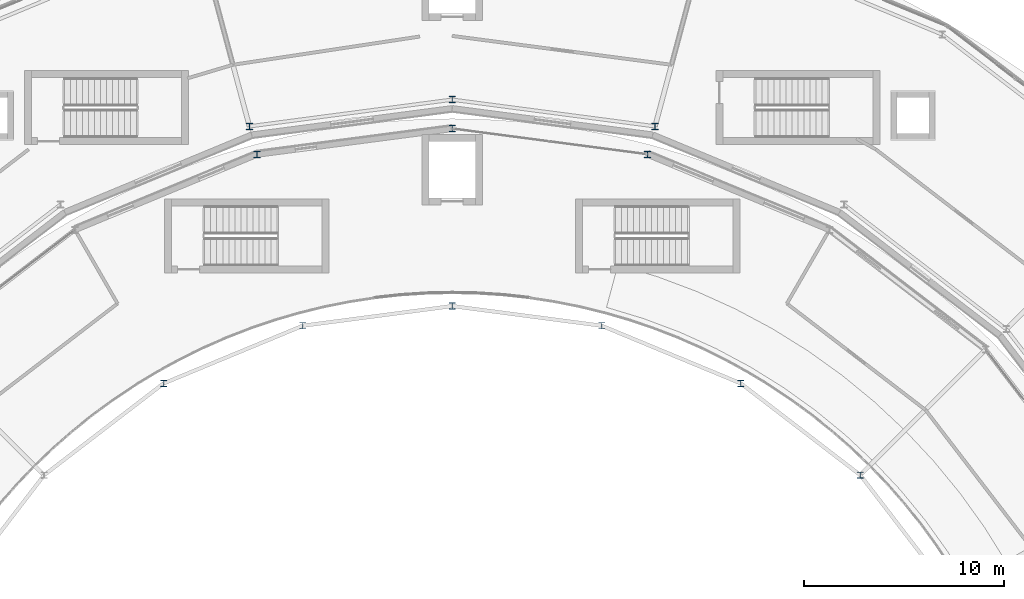
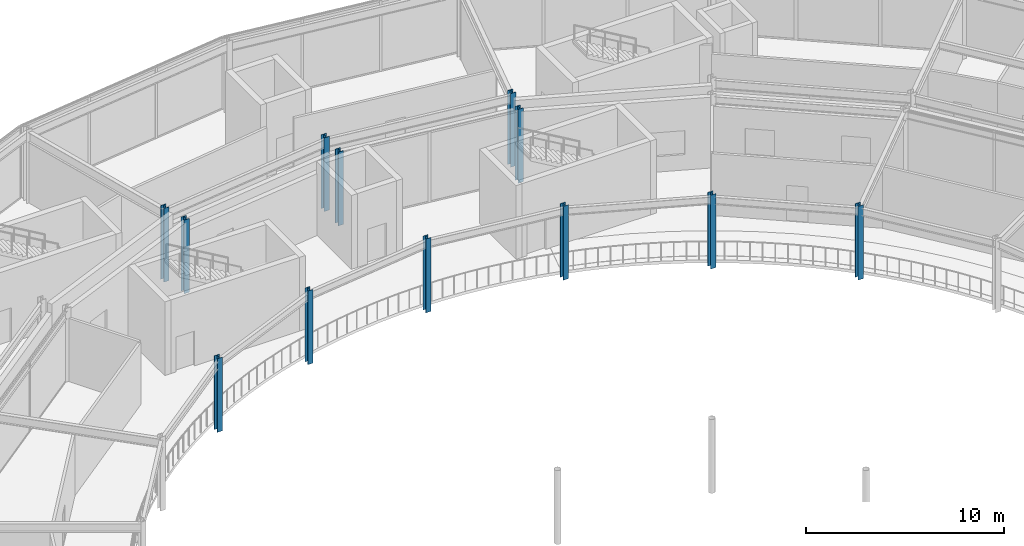
# One storey, part 12 of 133: 12 columns.
"""IFC4 building model written with IfcOpenShell, lengths in metres."""

from ifc_helpers import new_model, si_unit, direction, frame, origin, origin_2d, place, context, subcontext, project, spatial, i_section, extrude, material, material_profile, profile_set, type_object, element, save


model = new_model("IFC4")

# Units and contexts
model_context = context("Model", 3, precision=1e-05, world=origin(), true_north=direction((0.0, 1.0)))
body_context = subcontext(model_context, "Body", "Model", "MODEL_VIEW")
ifc_project = project(units=[si_unit("LENGTHUNIT", "METRE"), si_unit("AREAUNIT", "SQUARE_METRE"), si_unit("VOLUMEUNIT", "CUBIC_METRE"), si_unit("PLANEANGLEUNIT", "RADIAN"), si_unit("MASSUNIT", "GRAM", prefix="KILO")], contexts=[model_context])

# Site, building, storey
site_placement = place(None, origin())
site = spatial("IfcSite", under=ifc_project, at=site_placement, CompositionType="ELEMENT")
building_placement = place(site_placement, origin())
building = spatial("IfcBuilding", under=site, at=building_placement, Name="Almandine Court Research Institute", CompositionType="ELEMENT")
storey_placement = place(building_placement, frame((0.0, 0.0, 9.800048828125)))
storey = spatial("IfcBuildingStorey", under=building, at=storey_placement, Name="L02", CompositionType="ELEMENT", Elevation=9.800048828125)

# Columns
ifc_material = material(Name="Steel ASTM A992 Grade 50", Category="steel")
ifc_material_profile_1 = material_profile(ifc_material, i_section(OverallWidth=0.31005859375, OverallDepth=0.326904296875, WebThickness=0.01611328125, FlangeThickness=0.02490234375, at=origin_2d()), Name="W310x158")
ifc_profile_set_1 = profile_set([ifc_material_profile_1], Name="Steel ASTM A992 Grade 50")
column_type_1 = type_object("IfcColumnType", Name="Col-C-W06", PredefinedType="COLUMN", material=ifc_profile_set_1)
for number, where, z_axis, x_axis, name in (
    (1, (96.7451171875, 92.366943359375, 0.0), (0.0, 0.0, 1.0), (1.0, 0.0, 0.0), "L02 V2 Column V2-OUT-S05"),
    (2, (87.0, 93.64990234375, 0.0), (0.0, 0.0, 1.0), (1.0, 0.0, 0.0), "L02 V2 Column V2-OUT-S06"),
    (3, (77.2548828125, 92.366943359375, 0.0), (0.0, 0.0, 1.0), (1.0, 0.0, 0.0), "L02 V2 Column V2-OUT-S07"),
):
    element("IfcColumn", number, at=place(storey_placement, frame(where, z_axis=z_axis, x_axis=x_axis)), inside=storey, type_object=column_type_1, Name=name, PredefinedType="COLUMN", context=body_context, shape_type="SweptSolid", body=[
        extrude(i_section(OverallWidth=0.31005859375, OverallDepth=0.326904296875, WebThickness=0.01611328125, FlangeThickness=0.02490234375, at=origin_2d()), origin(), (0.0, 0.0, 1.0), 4.550048828125),
    ])
ifc_material_profile_2 = material_profile(ifc_material, i_section(OverallWidth=0.31005859375, OverallDepth=0.326904296875, WebThickness=0.01611328125, FlangeThickness=0.02490234375, at=origin_2d()), Name="W310x158")
ifc_profile_set_2 = profile_set([ifc_material_profile_2], Name="Steel ASTM A992 Grade 50")
column_type_2 = type_object("IfcColumnType", Name="Col-C-W06-E", PredefinedType="COLUMN", material=ifc_profile_set_2)
for number, where, z_axis, x_axis, name in (
    (4, (97.1201171875, 93.76806640625, 0.0), (0.0, 0.0, 1.0), (1.0, 0.0, 0.0), "L02 V5 Column V5-IN-S05"),
    (5, (87.0, 95.10009765625, 0.0), (0.0, 0.0, 1.0), (1.0, 0.0, 0.0), "L02 V5 Column V5-IN-S06"),
    (6, (76.8798828125, 93.76806640625, 0.0), (0.0, 0.0, 1.0), (1.0, 0.0, 0.0), "L02 V5 Column V5-IN-S07"),
):
    element("IfcColumn", number, at=place(storey_placement, frame(where, z_axis=z_axis, x_axis=x_axis)), inside=storey, type_object=column_type_2, Name=name, PredefinedType="COLUMN", context=body_context, shape_type="SweptSolid", body=[
        extrude(i_section(OverallWidth=0.31005859375, OverallDepth=0.326904296875, WebThickness=0.01611328125, FlangeThickness=0.02490234375, at=origin_2d()), origin(), (0.0, 0.0, 1.0), 4.550048828125),
    ])
ifc_material_profile_3 = material_profile(ifc_material, i_section(OverallWidth=0.305908203125, OverallDepth=0.31103515625, WebThickness=0.010986328125, FlangeThickness=0.01708984375, at=origin_2d()), Name="W310x107")
ifc_profile_set_3 = profile_set([ifc_material_profile_3], Name="Steel ASTM A992 Grade 50")
column_type_3 = type_object("IfcColumnType", Name="Col-C-W08", PredefinedType="COLUMN", material=ifc_profile_set_3)
for number, where, z_axis, x_axis, name in (
    (7, (107.364990234375, 76.364990234375, 0.0), (0.0, 0.0, 1.0), (1.0, 0.0, 0.0), "L02 V2 Column V2-MID-S03"),
    (8, (101.39990234375, 80.94189453125, 0.0), (0.0, 0.0, 1.0), (1.0, 0.0, 0.0), "L02 V2 Column V2-MID-S04"),
    (9, (94.4541015625, 83.819091796875, 0.0), (0.0, 0.0, 1.0), (1.0, 0.0, 0.0), "L02 V2 Column V2-MID-S05"),
    (10, (87.0, 84.800048828125, 0.0), (0.0, 0.0, 1.0), (1.0, 0.0, 0.0), "L02 V2 Column V2-MID-S06"),
    (11, (79.5458984375, 83.819091796875, 0.0), (0.0, 0.0, 1.0), (1.0, 0.0, 0.0), "L02 V2 Column V2-MID-S07"),
    (12, (72.60009765625, 80.94189453125, 0.0), (0.0, 0.0, 1.0), (1.0, 0.0, 0.0), "L02 V2 Column V2-MID-S08"),
):
    element("IfcColumn", number, at=place(storey_placement, frame(where, z_axis=z_axis, x_axis=x_axis)), inside=storey, type_object=column_type_3, Name=name, PredefinedType="COLUMN", context=body_context, shape_type="SweptSolid", body=[
        extrude(i_section(OverallWidth=0.305908203125, OverallDepth=0.31103515625, WebThickness=0.010986328125, FlangeThickness=0.01708984375, at=origin_2d()), origin(), (0.0, 0.0, 1.0), 4.550048828125),
    ])

save(model, "model.ifc")
